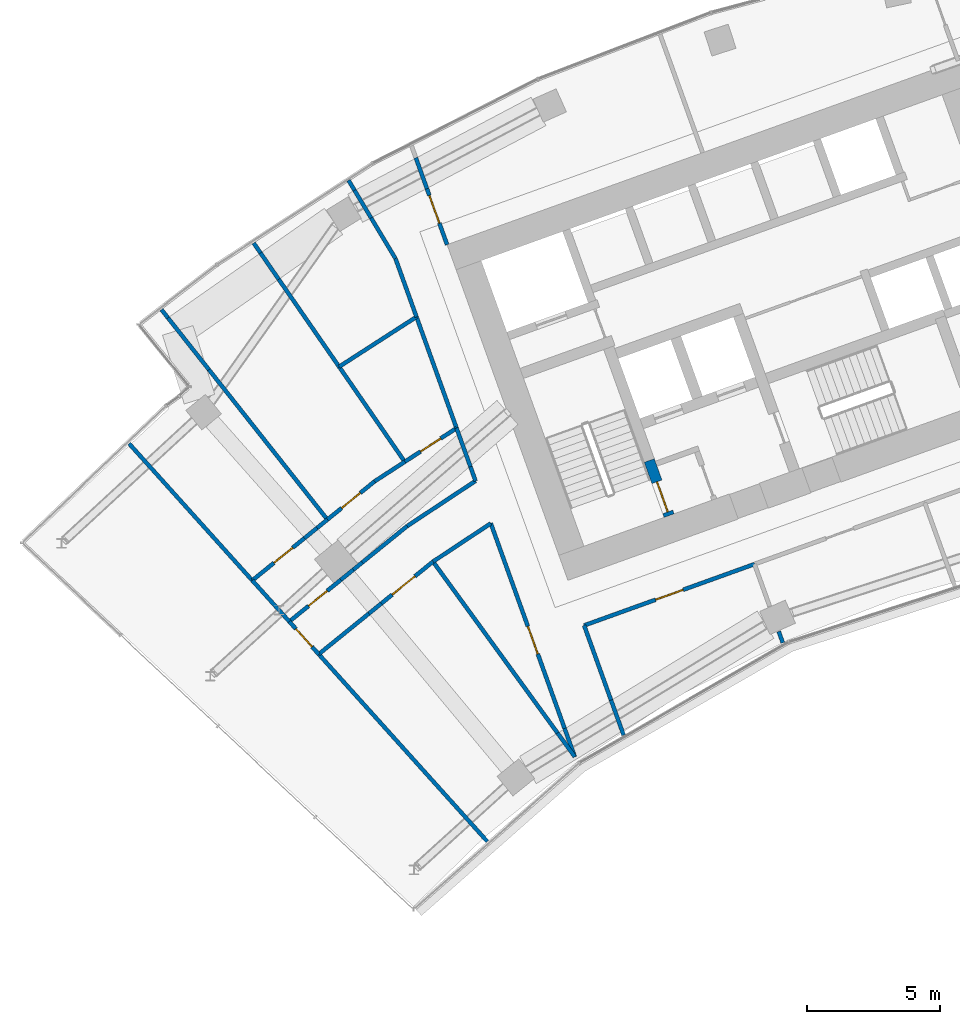
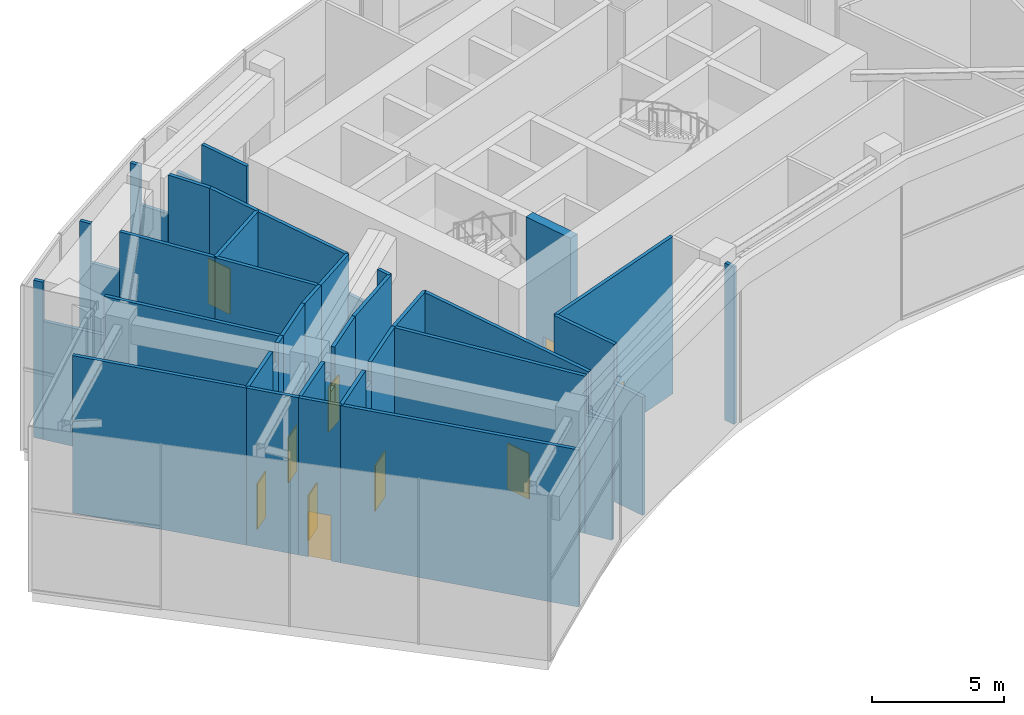
# One storey, part 19 of 26: 45 walls, 10 doors, 10 openings.
"""IFC4 building model written with IfcOpenShell, lengths in metres."""

from ifc_helpers import new_model, si_unit, direction, frame, frame_2d, origin, place, context, subcontext, project, spatial, rectangle, extrude, material, layer, layer_set, type_object, element, fill, save


model = new_model("IFC4")

# Units and contexts
model_context = context("Model", 3, precision=1e-05, world=origin(), true_north=direction((0.0, 1.0)))
body_context = subcontext(model_context, "Body", "Model", "MODEL_VIEW")
ifc_project = project(units=[si_unit("LENGTHUNIT", "METRE"), si_unit("AREAUNIT", "SQUARE_METRE"), si_unit("VOLUMEUNIT", "CUBIC_METRE"), si_unit("PLANEANGLEUNIT", "RADIAN"), si_unit("MASSUNIT", "GRAM", prefix="KILO")], contexts=[model_context])

# Site, building, storey
site_placement = place(None, origin())
site = spatial("IfcSite", under=ifc_project, at=site_placement, CompositionType="ELEMENT")
building_placement = place(site_placement, origin())
building = spatial("IfcBuilding", under=site, at=building_placement, Name="Stone Belt Terrace Tower", CompositionType="ELEMENT")
storey_placement = place(building_placement, frame((0.0, 0.0, 250.39990234375)))
storey = spatial("IfcBuildingStorey", under=building, at=storey_placement, Name="L61", CompositionType="ELEMENT", Elevation=250.39990234375)

# Walls
ifc_material_1 = material(Name="Gypsum board partition")
ifc_layer_1 = layer(ifc_material_1, 0.14990234375)
ifc_layer_set_1 = layer_set([ifc_layer_1], Name="PARTITION 150 EI 60")
wall_type_1 = type_object("IfcWallType", Name="PARTITION 150 EI 60", PredefinedType="PARTITIONING", material=ifc_layer_set_1)
wall_1_placement = place(storey_placement, frame((-25.344970703125, 40.304931640625, 0.0), z_axis=(0.0, 0.0, 1.0), x_axis=(0.33862096723, -0.94092286642, 0.0)))
element("IfcWall", 1, at=wall_1_placement, inside=storey, type_object=wall_type_1, Name="L61/wall/i001-1", PredefinedType="PARTITIONING", context=body_context, shape_type="SweptSolid", body=[
    extrude(rectangle(XDim=2.984130859375, YDim=0.14990234375, at=frame_2d((1.4921875, 0.0))), origin(), (0.0, 0.0, 1.0), 7.25),
])
wall_2_placement = place(storey_placement, frame((-24.33447265625, 37.4970703125, 0.0), z_axis=(0.0, 0.0, 1.0), x_axis=(0.338565206735, -0.940942931738, 0.0)))
element("IfcWall", 2, at=wall_2_placement, inside=storey, type_object=wall_type_1, Name="L61/wall/i001-2", PredefinedType="PARTITIONING", context=body_context, shape_type="SweptSolid", body=[
    extrude(rectangle(XDim=1.401123046875, YDim=0.14990234375, at=frame_2d((0.70068359375, 0.0))), origin(), (0.0, 0.0, 1.0), 5.4501953125),
])
wall_3_placement = place(storey_placement, frame((-31.6650390625, 57.86328125, 0.0), z_axis=(0.0, 0.0, 1.0), x_axis=(0.338593256318, -0.940932838611, 0.0)))
element("IfcWall", 3, at=wall_3_placement, inside=storey, type_object=wall_type_1, Name="L61/wall/i002-2", PredefinedType="PARTITIONING", context=body_context, shape_type="SweptSolid", body=[
    extrude(rectangle(XDim=1.23291015625, YDim=0.14990234375, at=frame_2d((0.616455078125, 0.0))), origin(), (0.0, 0.0, 1.0), 5.4501953125),
])

# Wall, opening, door
wall_4_placement = place(storey_placement, frame((-31.24755859375, 56.703125, 0.0), z_axis=(0.0, 0.0, 1.0), x_axis=(0.338661421839, -0.940908306562, 0.0)))
wall_4 = element("IfcWall", 4, at=wall_4_placement, inside=storey, type_object=wall_type_1, Name="L61/wall/i002-3", PredefinedType="PARTITIONING", context=body_context, shape_type="SweptSolid", body=[
    extrude(rectangle(XDim=2.234130859375, YDim=0.14990234375, at=frame_2d((1.1171875, 0.0))), origin(), (0.0, 0.0, 1.0), 7.25),
])
opening_1_placement = place(wall_4_placement, frame((0.272705078125, 0.0, 0.0)))
opening_1 = element("IfcOpeningElement", 5, at=opening_1_placement, cuts=wall_4, Name="Opening D-T4-04", PredefinedType="OPENING", context=body_context, shape_type="SweptSolid", body=[
    extrude(rectangle(XDim=1.10009765625, YDim=2.10009765625, at=frame_2d((0.550048828125, 1.050048828125))), frame((0.0, 0.0849609375, 0.0), z_axis=(0.0, -1.0, 0.0), x_axis=(1.0, 0.0, 0.0)), (0.0, 0.0, 1.0), 0.169921875),
])
ifc_material_2 = material(Name="Steel fire door set", Category="steel")
door_type_1 = type_object("IfcDoorType", Name="SERVICE ROOM DOOR 1100 X 2100", OperationType="NOTDEFINED", PredefinedType="DOOR", material=ifc_material_2)
door_1_placement = place(opening_1_placement, origin())
door_1 = element("IfcDoor", 6, at=door_1_placement, inside=storey, type_object=door_type_1, Name="L61/door/i04", OperationType="SINGLE_SWING_RIGHT", OverallHeight=2.10009765625, OverallWidth=1.10009765625, PredefinedType="DOOR", context=body_context, shape_type="SweptSolid", body=[
    extrude(rectangle(XDim=1.10009765625, YDim=2.10009765625, at=frame_2d((0.550048828125, 1.050048828125))), frame((0.0, 0.02490234375, 0.0), z_axis=(0.0, -1.0, 0.0), x_axis=(1.0, 0.0, 0.0)), (0.0, 0.0, 1.0), 0.050048828125),
])
fill(opening_1, door_1)

# Wall
wall_5_placement = place(storey_placement, frame((-25.69091796875, 35.35791015625, 0.0), z_axis=(0.0, 0.0, 1.0), x_axis=(-0.338802833931, 0.94085739606, 0.0)))
element("IfcWall", 7, at=wall_5_placement, inside=storey, type_object=wall_type_1, Name="L61/wall/i003-1", PredefinedType="PARTITIONING", context=body_context, shape_type="SweptSolid", body=[
    extrude(rectangle(XDim=1.140625, YDim=0.14990234375, at=frame_2d((0.5703125, 0.0))), origin(), (0.0, 0.0, 1.0), 5.4501953125),
])

# Wall, opening, door
wall_6_placement = place(storey_placement, frame((-26.077392578125, 36.43115234375, 0.0), z_axis=(0.0, 0.0, 1.0), x_axis=(-0.338637138906, 0.940917046372, 0.0)))
wall_6 = element("IfcWall", 8, at=wall_6_placement, inside=storey, type_object=wall_type_1, Name="L61/wall/i003-2", PredefinedType="PARTITIONING", context=body_context, shape_type="SweptSolid", body=[
    extrude(rectangle(XDim=8.190673828125, YDim=0.14990234375, at=frame_2d((4.09521484375, 0.0))), origin(), (0.0, 0.0, 1.0), 7.25),
])
opening_2_placement = place(wall_6_placement, frame((2.97509765625, 0.0, 0.0)))
opening_2 = element("IfcOpeningElement", 9, at=opening_2_placement, cuts=wall_6, Name="Opening D-T4-12", PredefinedType="OPENING", context=body_context, shape_type="SweptSolid", body=[
    extrude(rectangle(XDim=1.10009765625, YDim=2.10009765625, at=frame_2d((0.550048828125, 1.050048828125))), frame((0.0, 0.0849609375, 0.0), z_axis=(0.0, -1.0, 0.0), x_axis=(1.0, 0.0, 0.0)), (0.0, 0.0, 1.0), 0.169921875),
])
door_2_placement = place(opening_2_placement, origin())
door_2 = element("IfcDoor", 10, at=door_2_placement, inside=storey, type_object=door_type_1, Name="L61/door/i12", OperationType="SINGLE_SWING_LEFT", OverallHeight=2.10009765625, OverallWidth=1.10009765625, PredefinedType="DOOR", context=body_context, shape_type="SweptSolid", body=[
    extrude(rectangle(XDim=1.10009765625, YDim=2.10009765625, at=frame_2d((0.550048828125, 1.050048828125))), frame((0.0, 0.02490234375, 0.0), z_axis=(0.0, -1.0, 0.0), x_axis=(1.0, 0.0, 0.0)), (0.0, 0.0, 1.0), 0.050048828125),
])
fill(opening_2, door_2)

# Walls
wall_7_placement = place(storey_placement, frame((-29.4208984375, 45.721923828125, 0.0), z_axis=(0.0, 0.0, 1.0), x_axis=(-0.338537137062, 0.94095303115, 0.0)))
element("IfcWall", 11, at=wall_7_placement, inside=storey, type_object=wall_type_1, Name="L61/wall/i004-1", PredefinedType="PARTITIONING", context=body_context, shape_type="SweptSolid", body=[
    extrude(rectangle(XDim=0.569091796875, YDim=0.14990234375, at=frame_2d((0.28466796875, 0.0))), origin(), (0.0, 0.0, 1.0), 7.25),
])
wall_8_placement = place(storey_placement, frame((-29.613525390625, 46.25732421875, 0.0), z_axis=(0.0, 0.0, 1.0), x_axis=(-0.338501825257, 0.940965734922, 0.0)))
element("IfcWall", 12, at=wall_8_placement, inside=storey, type_object=wall_type_1, Name="L61/wall/i004-2", PredefinedType="PARTITIONING", context=body_context, shape_type="SweptSolid", body=[
    extrude(rectangle(XDim=1.54931640625, YDim=0.14990234375, at=frame_2d((0.774658203125, 0.0))), origin(), (0.0, 0.0, 1.0), 5.4501953125),
])
wall_9_placement = place(storey_placement, frame((-30.134033203125, 47.702880859375, 0.0), z_axis=(0.0, 0.0, 1.0), x_axis=(-0.338692303118, 0.940897190881, 0.0)))
element("IfcWall", 13, at=wall_9_placement, inside=storey, type_object=wall_type_1, Name="L61/wall/i005", PredefinedType="PARTITIONING", context=body_context, shape_type="SweptSolid", body=[
    extrude(rectangle(XDim=4.45556640625, YDim=0.14990234375, at=frame_2d((2.227783203125, 0.0))), origin(), (0.0, 0.0, 1.0), 7.25),
])
wall_10_placement = place(storey_placement, frame((-31.638916015625, 51.883056640625, 0.0), z_axis=(0.0, 0.0, 1.0), x_axis=(-0.338682406814, 0.940900753169, 0.0)))
element("IfcWall", 14, at=wall_10_placement, inside=storey, type_object=wall_type_1, Name="L61/wall/i006", PredefinedType="PARTITIONING", context=body_context, shape_type="SweptSolid", body=[
    extrude(rectangle(XDim=2.332763671875, YDim=0.14990234375, at=frame_2d((1.16650390625, 0.0))), origin(), (0.0, 0.0, 1.0), 7.25),
])
wall_11_placement = place(storey_placement, frame((-32.428955078125, 54.077880859375, 0.0), z_axis=(0.0, 0.0, 1.0), x_axis=(-0.514293949657, 0.857613976883, 0.0)))
element("IfcWall", 15, at=wall_11_placement, inside=storey, type_object=wall_type_1, Name="L61/wall/i007-1", PredefinedType="PARTITIONING", context=body_context, shape_type="SweptSolid", body=[
    extrude(rectangle(XDim=1.779296875, YDim=0.14990234375, at=frame_2d((0.8896484375, 0.0))), origin(), (0.0, 0.0, 1.0), 7.25),
])
wall_12_placement = place(storey_placement, frame((-33.343994140625, 55.603759765625, 0.0), z_axis=(0.0, 0.0, 1.0), x_axis=(-0.514347377149, 0.857581935223, 0.0)))
element("IfcWall", 16, at=wall_12_placement, inside=storey, type_object=wall_type_1, Name="L61/wall/i007-2", PredefinedType="PARTITIONING", context=body_context, shape_type="SweptSolid", body=[
    extrude(rectangle(XDim=1.2099609375, YDim=0.14990234375, at=frame_2d((0.60498046875, 0.0))), origin(), (0.0, 0.0, 1.0), 5.4501953125),
])
wall_13_placement = place(storey_placement, frame((-33.96630859375, 56.641357421875, 0.0), z_axis=(0.0, 0.0, 1.0), x_axis=(-0.513842775963, 0.85788437542, 0.0)))
element("IfcWall", 17, at=wall_13_placement, inside=storey, type_object=wall_type_1, Name="L61/wall/i007-3", PredefinedType="PARTITIONING", context=body_context, shape_type="SweptSolid", body=[
    extrude(rectangle(XDim=0.43994140625, YDim=0.14990234375, at=frame_2d((0.219970703125, 0.0))), origin(), (0.0, 0.0, 1.0), 7.25),
])

# Wall, opening, door
wall_14_placement = place(storey_placement, frame((-18.93896484375, 42.60400390625, 0.0), z_axis=(0.0, 0.0, 1.0), x_axis=(-0.940912101909, -0.338650876982, 0.0)))
wall_14 = element("IfcWall", 18, at=wall_14_placement, inside=storey, type_object=wall_type_1, Name="L61/wall/i013", PredefinedType="PARTITIONING", context=body_context, shape_type="SweptSolid", body=[
    extrude(rectangle(XDim=6.80615234375, YDim=0.14990234375, at=frame_2d((3.403076171875, 0.0))), origin(), (0.0, 0.0, 1.0), 7.25),
])
opening_3_placement = place(wall_14_placement, frame((2.85302734375, 0.0, 0.0)))
opening_3 = element("IfcOpeningElement", 19, at=opening_3_placement, cuts=wall_14, Name="Opening D-T4-01", PredefinedType="OPENING", context=body_context, shape_type="SweptSolid", body=[
    extrude(rectangle(XDim=1.10009765625, YDim=2.10009765625, at=frame_2d((0.550048828125, 1.050048828125))), frame((0.0, 0.0849609375, 0.0), z_axis=(0.0, -1.0, 0.0), x_axis=(1.0, 0.0, 0.0)), (0.0, 0.0, 1.0), 0.169921875),
])
door_3_placement = place(opening_3_placement, origin())
door_3 = element("IfcDoor", 20, at=door_3_placement, inside=storey, type_object=door_type_1, Name="L61/door/i01", OperationType="SINGLE_SWING_RIGHT", OverallHeight=2.10009765625, OverallWidth=1.10009765625, PredefinedType="DOOR", context=body_context, shape_type="SweptSolid", body=[
    extrude(rectangle(XDim=1.10009765625, YDim=2.10009765625, at=frame_2d((0.550048828125, 1.050048828125))), frame((0.0, 0.02490234375, 0.0), z_axis=(0.0, -1.0, 0.0), x_axis=(1.0, 0.0, 0.0)), (0.0, 0.0, 1.0), 0.050048828125),
])
fill(opening_3, door_3)

# Wall
wall_15_placement = place(storey_placement, frame((-18.03369140625, 40.069091796875, 0.0), z_axis=(0.0, 0.0, 1.0), x_axis=(0.338566006088, -0.940942644119, 0.0)))
element("IfcWall", 21, at=wall_15_placement, inside=storey, type_object=wall_type_1, Name="L61/wall/i017", PredefinedType="PARTITIONING", context=body_context, shape_type="SweptSolid", body=[
    extrude(rectangle(XDim=0.45068359375, YDim=0.14990234375, at=frame_2d((0.225341796875, 0.0))), origin(), (0.0, 0.0, 1.0), 7.25),
])

# Wall, opening, door
wall_16_placement = place(storey_placement, frame((-35.31005859375, 39.214111328125, 0.0), z_axis=(0.0, 0.0, 1.0), x_axis=(-0.669191970187, 0.743089568651, 0.0)))
wall_16 = element("IfcWall", 22, at=wall_16_placement, inside=storey, type_object=wall_type_1, Name="L61/wall/i038", PredefinedType="PARTITIONING", context=body_context, shape_type="SweptSolid", body=[
    extrude(rectangle(XDim=1.661865234375, YDim=0.14990234375, at=frame_2d((0.8310546875, 0.0))), origin(), (0.0, 0.0, 1.0), 7.25),
])
opening_4_placement = place(wall_16_placement, frame((0.380859375, 0.0, 0.0)))
opening_4 = element("IfcOpeningElement", 23, at=opening_4_placement, cuts=wall_16, Name="Opening D-T4-11", PredefinedType="OPENING", context=body_context, shape_type="SweptSolid", body=[
    extrude(rectangle(XDim=0.89990234375, YDim=2.10009765625, at=frame_2d((0.449951171875, 1.050048828125))), frame((0.0, 0.0849609375, 0.0), z_axis=(0.0, -1.0, 0.0), x_axis=(1.0, 0.0, 0.0)), (0.0, 0.0, 1.0), 0.169921875),
])
door_type_2 = type_object("IfcDoorType", Name="SERVICE ROOM DOOR 900 X 2100", OperationType="NOTDEFINED", PredefinedType="DOOR", material=ifc_material_2)
door_4_placement = place(opening_4_placement, origin())
door_4 = element("IfcDoor", 24, at=door_4_placement, inside=storey, type_object=door_type_2, Name="L61/door/i11", OperationType="SINGLE_SWING_RIGHT", OverallHeight=2.10009765625, OverallWidth=0.89990234375, PredefinedType="DOOR", context=body_context, shape_type="SweptSolid", body=[
    extrude(rectangle(XDim=0.89990234375, YDim=2.10009765625, at=frame_2d((0.449951171875, 1.050048828125))), frame((0.0, 0.02490234375, 0.0), z_axis=(0.0, -1.0, 0.0), x_axis=(1.0, 0.0, 0.0)), (0.0, 0.0, 1.0), 0.050048828125),
])
fill(opening_4, door_4)

# Walls
wall_17_placement = place(storey_placement, frame((-35.31689453125, 39.222900390625, 0.0), z_axis=(0.0, 0.0, 1.0), x_axis=(0.669104250509, -0.743168555545, 0.0)))
element("IfcWall", 25, at=wall_17_placement, inside=storey, type_object=wall_type_1, Name="L61/wall/i039", PredefinedType="PARTITIONING", context=body_context, shape_type="SweptSolid", body=[
    extrude(rectangle(XDim=9.4736328125, YDim=0.14990234375, at=frame_2d((4.73681640625, 0.0))), origin(), (0.0, 0.0, 1.0), 7.25),
])
wall_18_placement = place(storey_placement, frame((-37.81201171875, 41.993896484375, 0.0), z_axis=(0.0, 0.0, 1.0), x_axis=(0.669035737355, -0.743230234949, 0.0)))
element("IfcWall", 26, at=wall_18_placement, inside=storey, type_object=wall_type_1, Name="L61/wall/i040", PredefinedType="PARTITIONING", context=body_context, shape_type="SweptSolid", body=[
    extrude(rectangle(XDim=2.089599609375, YDim=0.14990234375, at=frame_2d((1.044921875, 0.0))), origin(), (0.0, 0.0, 1.0), 7.25),
])
wall_19_placement = place(storey_placement, frame((-42.43359375, 47.126708984375, 0.0), z_axis=(0.0, 0.0, 1.0), x_axis=(0.669062211926, -0.743206402403, 0.0)))
element("IfcWall", 27, at=wall_19_placement, inside=storey, type_object=wall_type_1, Name="L61/wall/i041", PredefinedType="PARTITIONING", context=body_context, shape_type="SweptSolid", body=[
    extrude(rectangle(XDim=6.918212890625, YDim=0.14990234375, at=frame_2d((3.458984375, 0.0))), origin(), (0.0, 0.0, 1.0), 7.25),
])
wall_20_placement = place(storey_placement, frame((-28.84912109375, 44.132080078125, 0.0), z_axis=(0.0, 0.0, 1.0), x_axis=(-0.834036299229, -0.551709571757, 0.0)))
element("IfcWall", 28, at=wall_20_placement, inside=storey, type_object=wall_type_1, Name="L61/wall/i042", PredefinedType="PARTITIONING", context=body_context, shape_type="SweptSolid", body=[
    extrude(rectangle(XDim=2.602783203125, YDim=0.14990234375, at=frame_2d((1.30126953125, 0.0))), origin(), (0.0, 0.0, 1.0), 7.25),
])

# Wall, opening, door
wall_21_placement = place(storey_placement, frame((-31.02001953125, 42.696044921875, 0.0), z_axis=(0.0, 0.0, 1.0), x_axis=(-0.777067226211, -0.629417608547, 0.0)))
wall_21 = element("IfcWall", 29, at=wall_21_placement, inside=storey, type_object=wall_type_1, Name="L61/wall/i043-1", PredefinedType="PARTITIONING", context=body_context, shape_type="SweptSolid", body=[
    extrude(rectangle(XDim=2.496826171875, YDim=0.14990234375, at=frame_2d((1.24853515625, 0.0))), origin(), (0.0, 0.0, 1.0), 7.25),
])
opening_5_placement = place(wall_21_placement, frame((0.873779296875, 0.0, 0.0)))
opening_5 = element("IfcOpeningElement", 30, at=opening_5_placement, cuts=wall_21, Name="Opening D-T4-13", PredefinedType="OPENING", context=body_context, shape_type="SweptSolid", body=[
    extrude(rectangle(XDim=1.10009765625, YDim=2.10009765625, at=frame_2d((0.550048828125, 1.050048828125))), frame((0.0, 0.0849609375, 0.0), z_axis=(0.0, -1.0, 0.0), x_axis=(1.0, 0.0, 0.0)), (0.0, 0.0, 1.0), 0.169921875),
])
door_5_placement = place(opening_5_placement, origin())
door_5 = element("IfcDoor", 31, at=door_5_placement, inside=storey, type_object=door_type_1, Name="L61/door/i13", OperationType="SINGLE_SWING_LEFT", OverallHeight=2.10009765625, OverallWidth=1.10009765625, PredefinedType="DOOR", context=body_context, shape_type="SweptSolid", body=[
    extrude(rectangle(XDim=1.10009765625, YDim=2.10009765625, at=frame_2d((0.550048828125, 1.050048828125))), frame((0.0, 0.02490234375, 0.0), z_axis=(0.0, -1.0, 0.0), x_axis=(1.0, 0.0, 0.0)), (0.0, 0.0, 1.0), 0.050048828125),
])
fill(opening_5, door_5)

# Walls
wall_22_placement = place(storey_placement, frame((-32.960205078125, 41.12451171875, 0.0), z_axis=(0.0, 0.0, 1.0), x_axis=(-0.777216545095, -0.629233217521, 0.0)))
element("IfcWall", 32, at=wall_22_placement, inside=storey, type_object=wall_type_1, Name="L61/wall/i043-2", PredefinedType="PARTITIONING", context=body_context, shape_type="SweptSolid", body=[
    extrude(rectangle(XDim=0.60205078125, YDim=0.14990234375, at=frame_2d((0.301025390625, 0.0))), origin(), (0.0, 0.0, 1.0), 6.35009765625),
])
wall_23_placement = place(storey_placement, frame((-33.42822265625, 40.74560546875, 0.0), z_axis=(0.0, 0.0, 1.0), x_axis=(-0.777073724693, -0.629409585558, 0.0)))
element("IfcWall", 33, at=wall_23_placement, inside=storey, type_object=wall_type_1, Name="L61/wall/i043-3", PredefinedType="PARTITIONING", context=body_context, shape_type="SweptSolid", body=[
    extrude(rectangle(XDim=2.425537109375, YDim=0.14990234375, at=frame_2d((1.212890625, 0.0))), origin(), (0.0, 0.0, 1.0), 7.25),
])

# Wall, opening, door
wall_24_placement = place(storey_placement, frame((-36.4169921875, 40.446044921875, 0.0), z_axis=(0.0, 0.0, 1.0), x_axis=(0.777121464745, 0.629350640767, 0.0)))
wall_24 = element("IfcWall", 34, at=wall_24_placement, inside=storey, type_object=wall_type_1, Name="L61/wall/i044-1", PredefinedType="PARTITIONING", context=body_context, shape_type="SweptSolid", body=[
    extrude(rectangle(XDim=2.488037109375, YDim=0.14990234375, at=frame_2d((1.244140625, 0.0))), origin(), (0.0, 0.0, 1.0), 7.25),
])
opening_6_placement = place(wall_24_placement, frame((0.929443359375, 0.0, 0.0)))
opening_6 = element("IfcOpeningElement", 35, at=opening_6_placement, cuts=wall_24, Name="Opening D-T4-14", PredefinedType="OPENING", context=body_context, shape_type="SweptSolid", body=[
    extrude(rectangle(XDim=0.89990234375, YDim=2.10009765625, at=frame_2d((0.449951171875, 1.050048828125))), frame((0.0, 0.0849609375, 0.0), z_axis=(0.0, -1.0, 0.0), x_axis=(1.0, 0.0, 0.0)), (0.0, 0.0, 1.0), 0.169921875),
])
ifc_material_3 = material(Name="Timber door leaf", Category="wood")
door_type_3 = type_object("IfcDoorType", Name="OFFICE DOOR 900 X 2100", OperationType="NOTDEFINED", PredefinedType="DOOR", material=ifc_material_3)
door_6_placement = place(opening_6_placement, origin())
door_6 = element("IfcDoor", 36, at=door_6_placement, inside=storey, type_object=door_type_3, Name="L61/door/i14", OperationType="SINGLE_SWING_LEFT", OverallHeight=2.10009765625, OverallWidth=0.89990234375, PredefinedType="DOOR", context=body_context, shape_type="SweptSolid", body=[
    extrude(rectangle(XDim=0.89990234375, YDim=2.10009765625, at=frame_2d((0.449951171875, 1.050048828125))), frame((0.0, 0.02490234375, 0.0), z_axis=(0.0, -1.0, 0.0), x_axis=(1.0, 0.0, 0.0)), (0.0, 0.0, 1.0), 0.050048828125),
])
fill(opening_6, door_6)

# Walls
wall_25_placement = place(storey_placement, frame((-34.4833984375, 42.011962890625, 0.0), z_axis=(0.0, 0.0, 1.0), x_axis=(0.777216545095, 0.629233217521, 0.0)))
element("IfcWall", 37, at=wall_25_placement, inside=storey, type_object=wall_type_1, Name="L61/wall/i044-2", PredefinedType="PARTITIONING", context=body_context, shape_type="SweptSolid", body=[
    extrude(rectangle(XDim=0.60205078125, YDim=0.14990234375, at=frame_2d((0.301025390625, 0.0))), origin(), (0.0, 0.0, 1.0), 6.35009765625),
])
wall_26_placement = place(storey_placement, frame((-34.015380859375, 42.390869140625, 0.0), z_axis=(0.0, 0.0, 1.0), x_axis=(0.777218957923, 0.62923023723, 0.0)))
element("IfcWall", 38, at=wall_26_placement, inside=storey, type_object=wall_type_1, Name="L61/wall/i044-4", PredefinedType="PARTITIONING", context=body_context, shape_type="SweptSolid", body=[
    extrude(rectangle(XDim=0.438720703125, YDim=0.14990234375, at=frame_2d((0.21923828125, 0.0))), origin(), (0.0, 0.0, 1.0), 5.4501953125),
])
wall_27_placement = place(storey_placement, frame((-33.67431640625, 42.6669921875, 0.0), z_axis=(0.0, 0.0, 1.0), x_axis=(0.777129436332, 0.629340797331, 0.0)))
element("IfcWall", 39, at=wall_27_placement, inside=storey, type_object=wall_type_1, Name="L61/wall/i044-5", PredefinedType="PARTITIONING", context=body_context, shape_type="SweptSolid", body=[
    extrude(rectangle(XDim=2.16748046875, YDim=0.14990234375, at=frame_2d((1.083740234375, 0.0))), origin(), (0.0, 0.0, 1.0), 7.25),
])
wall_28_placement = place(storey_placement, frame((-31.989990234375, 44.031005859375, 0.0), z_axis=(0.0, 0.0, 1.0), x_axis=(0.834180200502, 0.551491970105, 0.0)))
element("IfcWall", 40, at=wall_28_placement, inside=storey, type_object=wall_type_1, Name="L61/wall/i045", PredefinedType="PARTITIONING", context=body_context, shape_type="SweptSolid", body=[
    extrude(rectangle(XDim=3.0771484375, YDim=0.14990234375, at=frame_2d((1.53857421875, 0.0))), origin(), (0.0, 0.0, 1.0), 7.25),
])
wall_29_placement = place(storey_placement, frame((-25.693115234375, 35.364013671875, 0.0), z_axis=(0.0, 0.0, 1.0), x_axis=(-0.587738228138, 0.809051157335, 0.0)))
element("IfcWall", 41, at=wall_29_placement, inside=storey, type_object=wall_type_1, Name="L61/wall/i046-1", PredefinedType="PARTITIONING", context=body_context, shape_type="SweptSolid", body=[
    extrude(rectangle(XDim=1.10546875, YDim=0.14990234375, at=frame_2d((0.552734375, 0.0))), origin(), (0.0, 0.0, 1.0), 5.4501953125),
])
wall_30_placement = place(storey_placement, frame((-26.3427734375, 36.25830078125, 0.0), z_axis=(0.0, 0.0, 1.0), x_axis=(-0.587781237714, 0.809019911122, 0.0)))
element("IfcWall", 42, at=wall_30_placement, inside=storey, type_object=wall_type_1, Name="L61/wall/i046-2", PredefinedType="PARTITIONING", context=body_context, shape_type="SweptSolid", body=[
    extrude(rectangle(XDim=7.95751953125, YDim=0.14990234375, at=frame_2d((3.978759765625, 0.0))), origin(), (0.0, 0.0, 1.0), 7.25),
])

# Wall, opening, door
wall_31_placement = place(storey_placement, frame((-37.80810546875, 41.989990234375, 0.0), z_axis=(0.0, 0.0, 1.0), x_axis=(0.777220076069, 0.629228856105, 0.0)))
wall_31 = element("IfcWall", 43, at=wall_31_placement, inside=storey, type_object=wall_type_1, Name="L61/wall/i047-1", PredefinedType="PARTITIONING", context=body_context, shape_type="SweptSolid", body=[
    extrude(rectangle(XDim=2.5224609375, YDim=0.14990234375, at=frame_2d((1.26123046875, 0.0))), origin(), (0.0, 0.0, 1.0), 7.25),
])
opening_7_placement = place(wall_31_placement, frame((1.047607421875, 0.0, 0.0)))
opening_7 = element("IfcOpeningElement", 44, at=opening_7_placement, cuts=wall_31, Name="Opening D-T4-15", PredefinedType="OPENING", context=body_context, shape_type="SweptSolid", body=[
    extrude(rectangle(XDim=0.89990234375, YDim=2.10009765625, at=frame_2d((0.449951171875, 1.050048828125))), frame((0.0, 0.0849609375, 0.0), z_axis=(0.0, -1.0, 0.0), x_axis=(1.0, 0.0, 0.0)), (0.0, 0.0, 1.0), 0.169921875),
])
door_7_placement = place(opening_7_placement, origin())
door_7 = element("IfcDoor", 45, at=door_7_placement, inside=storey, type_object=door_type_3, Name="L61/door/i15", OperationType="SINGLE_SWING_LEFT", OverallHeight=2.10009765625, OverallWidth=0.89990234375, PredefinedType="DOOR", context=body_context, shape_type="SweptSolid", body=[
    extrude(rectangle(XDim=0.89990234375, YDim=2.10009765625, at=frame_2d((0.449951171875, 1.050048828125))), frame((0.0, 0.02490234375, 0.0), z_axis=(0.0, -1.0, 0.0), x_axis=(1.0, 0.0, 0.0)), (0.0, 0.0, 1.0), 0.050048828125),
])
fill(opening_7, door_7)

# Walls
wall_32_placement = place(storey_placement, frame((-35.84765625, 43.5771484375, 0.0), z_axis=(0.0, 0.0, 1.0), x_axis=(0.77736654166, 0.629047899534, 0.0)))
element("IfcWall", 46, at=wall_32_placement, inside=storey, type_object=wall_type_1, Name="L61/wall/i047-2", PredefinedType="PARTITIONING", context=body_context, shape_type="SweptSolid", body=[
    extrude(rectangle(XDim=0.607421875, YDim=0.14990234375, at=frame_2d((0.3037109375, 0.0))), origin(), (0.0, 0.0, 1.0), 6.35009765625),
])
wall_33_placement = place(storey_placement, frame((-35.37548828125, 43.959228515625, 0.0), z_axis=(0.0, 0.0, 1.0), x_axis=(0.776997863972, 0.629503232226, 0.0)))
element("IfcWall", 47, at=wall_33_placement, inside=storey, type_object=wall_type_1, Name="L61/wall/i047-3", PredefinedType="PARTITIONING", context=body_context, shape_type="SweptSolid", body=[
    extrude(rectangle(XDim=0.506591796875, YDim=0.14990234375, at=frame_2d((0.25341796875, 0.0))), origin(), (0.0, 0.0, 1.0), 7.25),
])

# Wall, opening, door
wall_34_placement = place(storey_placement, frame((-34.990966796875, 44.27099609375, 0.0), z_axis=(0.0, 0.0, 1.0), x_axis=(0.777088392105, 0.62939147663, 0.0)))
wall_34 = element("IfcWall", 48, at=wall_34_placement, inside=storey, type_object=wall_type_1, Name="L61/wall/i048", PredefinedType="PARTITIONING", context=body_context, shape_type="SweptSolid", body=[
    extrude(rectangle(XDim=2.289306640625, YDim=0.14990234375, at=frame_2d((1.14453125, 0.0))), origin(), (0.0, 0.0, 1.0), 7.25),
])
opening_8_placement = place(wall_34_placement, frame((0.694580078125, 0.0, 0.0)))
opening_8 = element("IfcOpeningElement", 49, at=opening_8_placement, cuts=wall_34, Name="Opening D-T4-16", PredefinedType="OPENING", context=body_context, shape_type="SweptSolid", body=[
    extrude(rectangle(XDim=0.89990234375, YDim=2.10009765625, at=frame_2d((0.449951171875, 1.050048828125))), frame((0.0, 0.0849609375, 0.0), z_axis=(0.0, -1.0, 0.0), x_axis=(1.0, 0.0, 0.0)), (0.0, 0.0, 1.0), 0.169921875),
])
door_8_placement = place(opening_8_placement, origin())
door_8 = element("IfcDoor", 50, at=door_8_placement, inside=storey, type_object=door_type_3, Name="L61/door/i16", OperationType="SINGLE_SWING_RIGHT", OverallHeight=2.10009765625, OverallWidth=0.89990234375, PredefinedType="DOOR", context=body_context, shape_type="SweptSolid", body=[
    extrude(rectangle(XDim=0.89990234375, YDim=2.10009765625, at=frame_2d((0.449951171875, 1.050048828125))), frame((0.0, 0.02490234375, 0.0), z_axis=(0.0, -1.0, 0.0), x_axis=(1.0, 0.0, 0.0)), (0.0, 0.0, 1.0), 0.050048828125),
])
fill(opening_8, door_8)

# Wall
wall_35_placement = place(storey_placement, frame((-33.2119140625, 45.7119140625, 0.0), z_axis=(0.0, 0.0, 1.0), x_axis=(0.838892315648, 0.544297421221, 0.0)))
element("IfcWall", 51, at=wall_35_placement, inside=storey, type_object=wall_type_1, Name="L61/wall/i049", PredefinedType="PARTITIONING", context=body_context, shape_type="SweptSolid", body=[
    extrude(rectangle(XDim=1.354248046875, YDim=0.14990234375, at=frame_2d((0.67724609375, 0.0))), origin(), (0.0, 0.0, 1.0), 7.25),
])

# Wall, opening, door
wall_36_placement = place(storey_placement, frame((-32.0859375, 46.443115234375, 0.0), z_axis=(0.0, 0.0, 1.0), x_axis=(0.838757784737, 0.544504709385, 0.0)))
wall_36 = element("IfcWall", 52, at=wall_36_placement, inside=storey, type_object=wall_type_1, Name="L61/wall/i050", PredefinedType="PARTITIONING", context=body_context, shape_type="SweptSolid", body=[
    extrude(rectangle(XDim=2.32470703125, YDim=0.14990234375, at=frame_2d((1.162353515625, 0.0))), origin(), (0.0, 0.0, 1.0), 7.25),
])
opening_9_placement = place(wall_36_placement, frame((0.71240234375, 0.0, 0.0)))
opening_9 = element("IfcOpeningElement", 53, at=opening_9_placement, cuts=wall_36, Name="Opening D-T4-17", PredefinedType="OPENING", context=body_context, shape_type="SweptSolid", body=[
    extrude(rectangle(XDim=0.89990234375, YDim=2.10009765625, at=frame_2d((0.449951171875, 1.050048828125))), frame((0.0, 0.0849609375, 0.0), z_axis=(0.0, -1.0, 0.0), x_axis=(1.0, 0.0, 0.0)), (0.0, 0.0, 1.0), 0.169921875),
])
door_9_placement = place(opening_9_placement, origin())
door_9 = element("IfcDoor", 54, at=door_9_placement, inside=storey, type_object=door_type_3, Name="L61/door/i17", OperationType="SINGLE_SWING_RIGHT", OverallHeight=2.10009765625, OverallWidth=0.89990234375, PredefinedType="DOOR", context=body_context, shape_type="SweptSolid", body=[
    extrude(rectangle(XDim=0.89990234375, YDim=2.10009765625, at=frame_2d((0.449951171875, 1.050048828125))), frame((0.0, 0.02490234375, 0.0), z_axis=(0.0, -1.0, 0.0), x_axis=(1.0, 0.0, 0.0)), (0.0, 0.0, 1.0), 0.050048828125),
])
fill(opening_9, door_9)

# Walls
wall_37_placement = place(storey_placement, frame((-41.218994140625, 52.160400390625, 0.0), z_axis=(0.0, 0.0, 1.0), x_axis=(0.619986647702, -0.784612360769, 0.0)))
element("IfcWall", 55, at=wall_37_placement, inside=storey, type_object=wall_type_1, Name="L61/wall/i051-1", PredefinedType="PARTITIONING", context=body_context, shape_type="SweptSolid", body=[
    extrude(rectangle(XDim=0.39306640625, YDim=0.14990234375, at=frame_2d((0.196533203125, 0.0))), origin(), (0.0, 0.0, 1.0), 7.25),
])
wall_38_placement = place(storey_placement, frame((-40.975341796875, 51.85205078125, 0.0), z_axis=(0.0, 0.0, 1.0), x_axis=(0.620097501863, -0.784524753072, 0.0)))
element("IfcWall", 56, at=wall_38_placement, inside=storey, type_object=wall_type_1, Name="L61/wall/i051-2", PredefinedType="PARTITIONING", context=body_context, shape_type="SweptSolid", body=[
    extrude(rectangle(XDim=2.4794921875, YDim=0.14990234375, at=frame_2d((1.23974609375, 0.0))), origin(), (0.0, 0.0, 1.0), 5.4501953125),
])
wall_39_placement = place(storey_placement, frame((-39.437744140625, 49.90673828125, 0.0), z_axis=(0.0, 0.0, 1.0), x_axis=(0.620030180672, -0.784577959833, 0.0)))
element("IfcWall", 57, at=wall_39_placement, inside=storey, type_object=wall_type_1, Name="L61/wall/i051-3", PredefinedType="PARTITIONING", context=body_context, shape_type="SweptSolid", body=[
    extrude(rectangle(XDim=7.17822265625, YDim=0.14990234375, at=frame_2d((3.589111328125, 0.0))), origin(), (0.0, 0.0, 1.0), 7.25),
])
wall_40_placement = place(storey_placement, frame((-34.550048828125, 50.02099609375, 0.0), z_axis=(0.0, 0.0, 1.0), x_axis=(0.56828040689, -0.822834964708, 0.0)))
element("IfcWall", 58, at=wall_40_placement, inside=storey, type_object=wall_type_1, Name="L61/wall/i052", PredefinedType="PARTITIONING", context=body_context, shape_type="SweptSolid", body=[
    extrude(rectangle(XDim=4.3447265625, YDim=0.14990234375, at=frame_2d((2.17236328125, 0.0))), origin(), (0.0, 0.0, 1.0), 7.25),
])
wall_41_placement = place(storey_placement, frame((-37.7568359375, 54.663330078125, 0.0), z_axis=(0.0, 0.0, 1.0), x_axis=(0.567983359306, -0.823040037636, 0.0)))
element("IfcWall", 59, at=wall_41_placement, inside=storey, type_object=wall_type_1, Name="L61/wall/i053-1", PredefinedType="PARTITIONING", context=body_context, shape_type="SweptSolid", body=[
    extrude(rectangle(XDim=0.45556640625, YDim=0.14990234375, at=frame_2d((0.227783203125, 0.0))), origin(), (0.0, 0.0, 1.0), 7.25),
])
wall_42_placement = place(storey_placement, frame((-37.498046875, 54.288330078125, 0.0), z_axis=(0.0, 0.0, 1.0), x_axis=(0.56841685804, -0.82274070976, 0.0)))
element("IfcWall", 60, at=wall_42_placement, inside=storey, type_object=wall_type_1, Name="L61/wall/i053-2", PredefinedType="PARTITIONING", context=body_context, shape_type="SweptSolid", body=[
    extrude(rectangle(XDim=1.200927734375, YDim=0.14990234375, at=frame_2d((0.6005859375, 0.0))), origin(), (0.0, 0.0, 1.0), 5.4501953125),
])
wall_43_placement = place(storey_placement, frame((-36.8154296875, 53.30029296875, 0.0), z_axis=(0.0, 0.0, 1.0), x_axis=(0.568240935775, -0.822862223528, 0.0)))
element("IfcWall", 61, at=wall_43_placement, inside=storey, type_object=wall_type_1, Name="L61/wall/i053-3", PredefinedType="PARTITIONING", context=body_context, shape_type="SweptSolid", body=[
    extrude(rectangle(XDim=3.997314453125, YDim=0.14990234375, at=frame_2d((1.99853515625, 0.0))), origin(), (0.0, 0.0, 1.0), 7.25),
])
wall_44_placement = place(storey_placement, frame((-34.547119140625, 50.01611328125, 0.0), z_axis=(0.0, 0.0, 1.0), x_axis=(0.840565318591, 0.541710204059, 0.0)))
element("IfcWall", 62, at=wall_44_placement, inside=storey, type_object=wall_type_1, Name="L61/wall/i054", PredefinedType="PARTITIONING", context=body_context, shape_type="SweptSolid", body=[
    extrude(rectangle(XDim=3.457275390625, YDim=0.14990234375, at=frame_2d((1.728515625, 0.0))), origin(), (0.0, 0.0, 1.0), 7.25),
])

# Wall, opening, door
ifc_material_4 = material(Name="Concrete B80", Category="concrete")
ifc_layer_2 = layer(ifc_material_4, 0.39990234375)
ifc_layer_set_2 = layer_set([ifc_layer_2], Name="Stair enclosure wall 400")
wall_type_2 = type_object("IfcWallType", Name="Stair enclosure wall 400", PredefinedType="SHEAR", material=ifc_layer_set_2)
wall_45_placement = place(storey_placement, frame((-22.151611328125, 44.42333984375, 0.0), z_axis=(0.0, 0.0, 1.0), x_axis=(-0.338577997708, 0.940938329259, 0.0)))
wall_45 = element("IfcWall", 63, at=wall_45_placement, inside=storey, type_object=wall_type_2, Name="Core A wall", PredefinedType="SHEAR", context=body_context, shape_type="SweptSolid", body=[
    extrude(rectangle(XDim=2.199951171875, YDim=0.39990234375, at=frame_2d((1.10009765625, 0.0))), origin(), (0.0, 0.0, 1.0), 7.25),
])
opening_10_placement = place(wall_45_placement, frame((0.14990234375, 0.0, 0.0)))
opening_10 = element("IfcOpeningElement", 64, at=opening_10_placement, cuts=wall_45, Name="Opening L61-C05", PredefinedType="OPENING", context=body_context, shape_type="SweptSolid", body=[
    extrude(rectangle(XDim=1.199951171875, YDim=2.10009765625, at=frame_2d((0.60009765625, 1.050048828125))), frame((0.0, 0.2099609375, 0.0), z_axis=(0.0, -1.0, 0.0), x_axis=(1.0, 0.0, 0.0)), (0.0, 0.0, 1.0), 0.419921875),
])
ifc_material_5 = material(Name="Steel door leaf", Category="steel")
door_type_4 = type_object("IfcDoorType", Name="Stair door 1200", OperationType="SINGLE_SWING_LEFT", PredefinedType="DOOR", material=ifc_material_5)
door_10_placement = place(opening_10_placement, origin())
door_10 = element("IfcDoor", 65, at=door_10_placement, inside=storey, type_object=door_type_4, Name="Stair 1 door core A", OperationType="SINGLE_SWING_RIGHT", OverallHeight=2.10009765625, OverallWidth=1.199951171875, PredefinedType="DOOR", context=body_context, shape_type="SweptSolid", body=[
    extrude(rectangle(XDim=1.199951171875, YDim=2.10009765625, at=frame_2d((0.60009765625, 1.050048828125))), frame((0.0, 0.02490234375, 0.0), z_axis=(0.0, -1.0, 0.0), x_axis=(1.0, 0.0, 0.0)), (0.0, 0.0, 1.0), 0.050048828125),
])
fill(opening_10, door_10)

save(model, "model.ifc")
